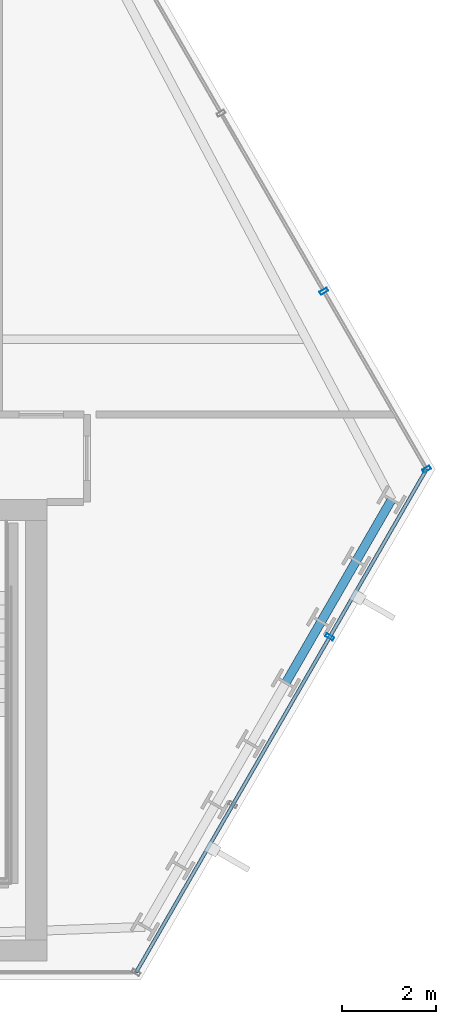
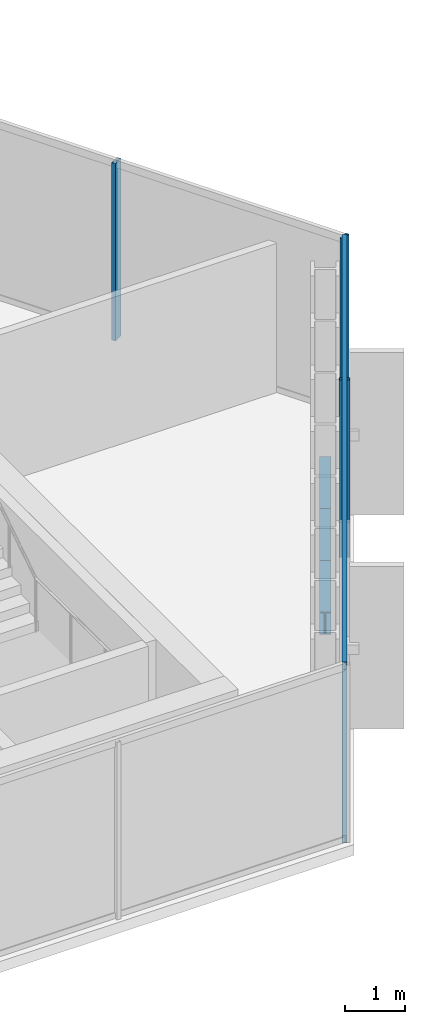
# One storey, part 16 of 32: 5 members, 3 beams, 2 elements without a shape of their own.
"""IFC4 building model written with IfcOpenShell, lengths in metres."""

import ifcopenshell
import ifcopenshell.guid

model = None  # the IFC model being written
_history = None  # IfcOwnerHistory: only IFC2X3 demands one
_inside = {}  # id of a spatial element -> (the spatial element, [elements in it])
_under = {}  # id of a project, library or spatial element -> (it, [spatial elements below it])
_declared = {}  # id of a project -> (the project, [libraries it declares])
_typed = {}  # id of a type object -> (the type object, [elements of that type])
_made_of = {}  # id of a material, layer set ... -> (it, [elements and type objects made of it])


def new_model(schema):
    """Start an empty IFC model of exactly this schema.

    Asked for "IFC4X3", IfcOpenShell would pick the latest addendum, in which some entities
    have other attributes; the version numbers below select the first issue.
    IFC2X3 requires an IfcOwnerHistory on every rooted entity: one is made here for all.
    """
    global model, _history
    if schema == "IFC4X3":
        model = ifcopenshell.file(schema_version=(4, 3, 0, 0))
    else:
        model = ifcopenshell.file(schema=schema)
    _inside.clear()
    _under.clear()
    _declared.clear()
    _typed.clear()
    _made_of.clear()
    _history = None
    if model.schema == "IFC2X3":
        org = make("IfcOrganization", Name="unknown")
        user = make(
            "IfcPersonAndOrganization",
            ThePerson=make("IfcPerson", FamilyName="unknown"),
            TheOrganization=org,
        )
        app = make(
            "IfcApplication",
            ApplicationDeveloper=org,
            Version="unknown",
            ApplicationFullName="unknown",
            ApplicationIdentifier="unknown",
        )
        _history = make(
            "IfcOwnerHistory",
            OwningUser=user,
            OwningApplication=app,
            ChangeAction="ADDED",
            CreationDate=0,
        )
    return model


def make(cls, **values):
    """One entity of the class cls with the attributes given. An attribute that is None is left unset."""
    return model.create_entity(
        cls, **{name: value for name, value in values.items() if value is not None}
    )


def rooted(cls, **values):
    """An entity with a GlobalId (a new one), such as an element, a storey or a relation."""
    return make(cls, GlobalId=ifcopenshell.guid.new(), OwnerHistory=_history, **values)


def si_unit(unit_type, name, prefix=None):
    """IfcSIUnit, for example si_unit("LENGTHUNIT", "METRE", prefix="MILLI")."""
    return make("IfcSIUnit", UnitType=unit_type, Prefix=prefix, Name=name)


def assignment(units):
    """IfcUnitAssignment: the units of a project."""
    return None if units is None else make("IfcUnitAssignment", Units=units)


def point(xyz):
    """IfcCartesianPoint."""
    return None if xyz is None else make("IfcCartesianPoint", Coordinates=xyz)


def direction(xyz):
    """IfcDirection."""
    return None if xyz is None else make("IfcDirection", DirectionRatios=xyz)


def frame(location, z_axis=None, x_axis=None):
    """IfcAxis2Placement3D, a coordinate frame: its origin and axes. An axis left out is left unset."""
    return make(
        "IfcAxis2Placement3D",
        Location=point(location),
        Axis=direction(z_axis),
        RefDirection=direction(x_axis),
    )


def frame_2d(location, x_axis=None):
    """IfcAxis2Placement2D, a coordinate frame in the plane: its origin and x axis."""
    return make(
        "IfcAxis2Placement2D", Location=point(location), RefDirection=direction(x_axis)
    )


def origin():
    """The frame at (0, 0, 0) with its axes left unset."""
    return frame((0.0, 0.0, 0.0))


def origin_2d():
    """The frame at (0, 0) in the plane with its x axis left unset."""
    return frame_2d((0.0, 0.0))


def place(relative_to, where):
    """IfcLocalPlacement: puts the frame where relative to a parent placement (None: the world)."""
    return make(
        "IfcLocalPlacement", PlacementRelTo=relative_to, RelativePlacement=where
    )


def context(
    kind, dimensions, precision=None, world=None, true_north=None, identifier=None
):
    """IfcGeometricRepresentationContext, for example the 3D "Model" context."""
    return make(
        "IfcGeometricRepresentationContext",
        ContextIdentifier=identifier,
        ContextType=kind,
        CoordinateSpaceDimension=dimensions,
        Precision=precision,
        WorldCoordinateSystem=world,
        TrueNorth=true_north,
    )


def subcontext(parent, identifier, kind, view, scale=None):
    """IfcGeometricRepresentationSubContext, for example "Body" below "Model"."""
    return make(
        "IfcGeometricRepresentationSubContext",
        ContextIdentifier=identifier,
        ContextType=kind,
        ParentContext=parent,
        TargetScale=scale,
        TargetView=view,
    )


def project(units=None, contexts=None):
    """IfcProject with its units and contexts."""
    return rooted(
        "IfcProject",
        Name="project",
        RepresentationContexts=contexts,
        UnitsInContext=assignment(units),
    )


def spatial(cls, under=None, at=None, **own):
    """A site, building, storey or space (cls), placed at a placement, below another one or the project."""
    s = rooted(cls, ObjectPlacement=at, **own)
    if under is not None:
        _under.setdefault(under.id(), (under, []))[1].append(s)
    return s


def profile(cls, at=None, kind="AREA", **sizes):
    """A parametric profile (cls). Its sizes go by their IFC names, for example OverallWidth=200.0."""
    return make(cls, ProfileType=kind, Position=at, **sizes)


def hollow_rectangle(**sizes):
    """IfcRectangleHollowProfileDef."""
    return profile("IfcRectangleHollowProfileDef", **sizes)


def i_section(**sizes):
    """IfcIShapeProfileDef."""
    return profile("IfcIShapeProfileDef", **sizes)


def extrude(swept, where, along, depth):
    """IfcExtrudedAreaSolid: the profile swept, set in the frame where, extruded along a direction by depth."""
    return make(
        "IfcExtrudedAreaSolid",
        SweptArea=swept,
        Position=where,
        ExtrudedDirection=direction(along),
        Depth=depth,
    )


def shape(context_of_items, identifier, shape_type, items):
    """IfcShapeRepresentation: the items that make up one representation, for example the "Body"."""
    return make(
        "IfcShapeRepresentation",
        ContextOfItems=context_of_items,
        RepresentationIdentifier=identifier,
        RepresentationType=shape_type,
        Items=items,
    )


def material(Name=None, Category=None):
    """IfcMaterial."""
    return make("IfcMaterial", Name=Name, Category=Category)


def layer(
    of_material, thickness, ventilated=None, Name=None, Category=None, Priority=None
):
    """IfcMaterialLayer: one layer of a wall or slab, of a material (None: an air gap)."""
    return make(
        "IfcMaterialLayer",
        Material=of_material,
        LayerThickness=thickness,
        IsVentilated=ventilated,
        Name=Name,
        Category=Category,
        Priority=Priority,
    )


def layer_set(layers, Name=None):
    """IfcMaterialLayerSet."""
    return make("IfcMaterialLayerSet", MaterialLayers=layers, LayerSetName=Name)


def material_profile(
    of_material, cross_section, Name=None, Category=None, Priority=None
):
    """IfcMaterialProfile: a cross section and its material."""
    return make(
        "IfcMaterialProfile",
        Name=Name,
        Material=of_material,
        Profile=cross_section,
        Priority=Priority,
        Category=Category,
    )


def profile_set(profiles, Name=None, composite=None):
    """IfcMaterialProfileSet."""
    return make(
        "IfcMaterialProfileSet",
        Name=Name,
        MaterialProfiles=profiles,
        CompositeProfile=composite,
    )


def made_of(thing, what):
    """Note that an element or type object is made of a material, layer set ...; save() writes the relation."""
    if what is not None:
        _made_of.setdefault(what.id(), (what, []))[1].append(thing)
    return thing


def type_object(cls, material=None, **own):
    """A type object (cls), such as IfcWallType, which elements share."""
    return made_of(rooted(cls, **own), material)


def element(
    cls,
    number,
    at=None,
    inside=None,
    cuts=None,
    type_object=None,
    material=None,
    context=None,
    identifier="Body",
    shape_type=None,
    held_by="IfcProductDefinitionShape",
    body=None,
    shapes=None,
    **own,
):
    """One element of the class cls, such as IfcWall. Its Tag is "e" and its number.

    at: its placement. inside: the storey or other place that contains it. cuts: it is an
    opening in that element (IfcRelVoidsElement). A single representation is given by context,
    identifier, shape_type and body (its items); several are given by shapes. held_by: the class
    of the entity that holds the representations. save() writes the other relations.
    """
    e = rooted(cls, Tag="e%d" % number, ObjectPlacement=at, **own)
    if body is not None:
        shapes = [shape(context, identifier, shape_type, body)]
    if shapes is not None:
        e.Representation = make(held_by, Representations=shapes)
    if inside is not None:
        _inside.setdefault(inside.id(), (inside, []))[1].append(e)
    if cuts is not None:
        rooted(
            "IfcRelVoidsElement", RelatingBuildingElement=cuts, RelatedOpeningElement=e
        )
    if type_object is not None:
        _typed.setdefault(type_object.id(), (type_object, []))[1].append(e)
    return made_of(e, material)


def aggregate(whole, parts):
    """IfcRelAggregates: a whole, such as a stair, and the parts it consists of."""
    return rooted("IfcRelAggregates", RelatingObject=whole, RelatedObjects=parts)


def save(model, path):
    """Write the relations noted so far, then the file.

    IfcRelAggregates (storeys below a building ...), IfcRelContainedInSpatialStructure (elements
    in a storey), IfcRelDefinesByType, IfcRelAssociatesMaterial and IfcRelDeclares: one each for
    every whole, place, type object, material and project.
    """
    for whole, parts in _under.values():
        aggregate(whole, parts)
    for where, things in _inside.values():
        rooted(
            "IfcRelContainedInSpatialStructure",
            RelatedElements=things,
            RelatingStructure=where,
        )
    for kind, things in _typed.values():
        rooted("IfcRelDefinesByType", RelatedObjects=things, RelatingType=kind)
    for what, things in _made_of.values():
        rooted("IfcRelAssociatesMaterial", RelatedObjects=things, RelatingMaterial=what)
    for by, libraries in _declared.values():
        rooted("IfcRelDeclares", RelatingContext=by, RelatedDefinitions=libraries)
    model.write(path)


model = new_model("IFC4")

# Units and contexts
model_context = context("Model", 3, precision=1e-05, world=origin(), true_north=direction((0.0, 1.0)))
body_context = subcontext(model_context, "Body", "Model", "MODEL_VIEW")
ifc_project = project(units=[si_unit("LENGTHUNIT", "METRE"), si_unit("AREAUNIT", "SQUARE_METRE"), si_unit("VOLUMEUNIT", "CUBIC_METRE"), si_unit("PLANEANGLEUNIT", "RADIAN"), si_unit("MASSUNIT", "GRAM", prefix="KILO")], contexts=[model_context])

# Site, building, storey
site_placement = place(None, origin())
site = spatial("IfcSite", under=ifc_project, at=site_placement, CompositionType="ELEMENT")
building_placement = place(site_placement, origin())
building = spatial("IfcBuilding", under=site, at=building_placement, Name="Ndaravel Arena Tower", CompositionType="ELEMENT")
storey_placement = place(building_placement, frame((0.0, 0.0, 130.800048828125)))
storey = spatial("IfcBuildingStorey", under=building, at=storey_placement, Name="L30", CompositionType="ELEMENT", Elevation=130.800048828125)

# Beams
ifc_material_1 = material(Name="Steel S355", Category="steel")
ifc_material_profile_1 = material_profile(ifc_material_1, i_section(OverallWidth=0.18994140625, OverallDepth=0.449951171875, WebThickness=0.009521484375, FlangeThickness=0.0146484375, FilletRadius=0.02099609375, at=origin_2d()), Name="IPE 450")
ifc_profile_set_1 = profile_set([ifc_material_profile_1], Name="Steel S355")
beam_type = type_object("IfcBeamType", Name="BM-SPAN-IPE450", PredefinedType="SPANDREL", material=ifc_profile_set_1)
beam_1_placement = place(storey_placement, frame((62.624755859375, 11.30810546875, -0.445068359375), z_axis=(0.500019200167, 0.866014318279, 0.0), x_axis=(-0.866014318279, 0.500019200167, 0.0)))
element("IfcBeam", 1, at=beam_1_placement, inside=storey, type_object=beam_type, Name="L30 Perimeter Spandrel Beam SP-06", PredefinedType="SPANDREL", context=body_context, shape_type="SweptSolid", body=[
    extrude(i_section(OverallWidth=0.18994140625, OverallDepth=0.449951171875, WebThickness=0.009521484375, FlangeThickness=0.0146484375, FilletRadius=0.02099609375, at=origin_2d()), origin(), (0.0, 0.0, 1.0), 1.49560546875),
])
beam_2_placement = place(storey_placement, frame((63.37255859375, 12.603271484375, -0.445068359375), z_axis=(0.499896754619, 0.866085004328, 0.0), x_axis=(-0.866085004328, 0.499896754619, 0.0)))
element("IfcBeam", 2, at=beam_2_placement, inside=storey, type_object=beam_type, Name="L30 Perimeter Spandrel Beam SP-07", PredefinedType="SPANDREL", context=body_context, shape_type="SweptSolid", body=[
    extrude(i_section(OverallWidth=0.18994140625, OverallDepth=0.449951171875, WebThickness=0.009521484375, FlangeThickness=0.0146484375, FilletRadius=0.02099609375, at=origin_2d()), origin(), (0.0, 0.0, 1.0), 1.495361328125),
])
beam_3_placement = place(storey_placement, frame((64.1201171875, 13.8984375, -0.445068359375), z_axis=(0.500019200167, 0.866014318279, 0.0), x_axis=(-0.866014318279, 0.500019200167, 0.0)))
element("IfcBeam", 3, at=beam_3_placement, inside=storey, type_object=beam_type, Name="L30 Perimeter Spandrel Beam SP-08", PredefinedType="SPANDREL", context=body_context, shape_type="SweptSolid", body=[
    extrude(i_section(OverallWidth=0.18994140625, OverallDepth=0.449951171875, WebThickness=0.009521484375, FlangeThickness=0.0146484375, FilletRadius=0.02099609375, at=origin_2d()), origin(), (0.0, 0.0, 1.0), 1.49560546875),
])

# Curtain wall, member
ifc_material_2 = material(Name="Aluminium", Category="aluminium")
ifc_layer_1 = layer(ifc_material_2, 0.179931640625)
ifc_layer_set_1 = layer_set([ifc_layer_1], Name="Aluminium")
curtain_wall_type_1 = type_object("IfcCurtainWallType", Name="CW-SYS-01", PredefinedType="NOTDEFINED", material=ifc_layer_set_1)
curtain_wall_1_placement = place(storey_placement, origin())
curtain_wall_1 = element("IfcCurtainWall", 4, at=curtain_wall_1_placement, inside=storey, type_object=curtain_wall_type_1, Name="L30 Faceted Crystal Curtain Wall CW-L30-E02", PredefinedType="NOTDEFINED")
ifc_material_3 = material(Name="Aluminium", Category="aluminium")
ifc_material_profile_2 = material_profile(ifc_material_3, hollow_rectangle(XDim=0.074951171875, YDim=0.179931640625, WallThickness=0.00390625, at=origin_2d()), Name="CW MULLION 75x180x4")
ifc_profile_set_2 = profile_set([ifc_material_profile_2], Name="Aluminium")
member_type_1 = type_object("IfcMemberType", Name="MEM-CW-MUL180", PredefinedType="MULLION", material=ifc_profile_set_2)
member_1_placement = place(storey_placement, frame((63.5556640625, 12.28076171875, 0.0), z_axis=(0.0, 0.0, 1.0), x_axis=(0.5, 0.866025403784, 0.0)))
member_1 = element("IfcMember", 5, at=member_1_placement, type_object=member_type_1, Name="CW-L30-E02 Mullion 02", PredefinedType="MULLION", context=body_context, shape_type="SweptSolid", body=[
    extrude(hollow_rectangle(XDim=0.074951171875, YDim=0.179931640625, WallThickness=0.00390625, at=origin_2d()), origin(), (0.0, 0.0, 1.0), 3.579833984375),
])

# Curtain wall, members
ifc_material_4 = material(Name="Aluminium", Category="aluminium")
ifc_layer_2 = layer(ifc_material_4, 0.179931640625)
ifc_layer_set_2 = layer_set([ifc_layer_2], Name="Aluminium")
curtain_wall_type_2 = type_object("IfcCurtainWallType", Name="CW-SYS-03", PredefinedType="NOTDEFINED", material=ifc_layer_set_2)
curtain_wall_2_placement = place(storey_placement, origin())
curtain_wall_2 = element("IfcCurtainWall", 6, at=curtain_wall_2_placement, inside=storey, type_object=curtain_wall_type_2, Name="L30 Faceted Crystal Curtain Wall CW-L30-E03", PredefinedType="NOTDEFINED")
member_2_placement = place(storey_placement, frame((65.611328125, 15.841064453125, 0.0), z_axis=(0.0, 0.0, 1.0), x_axis=(-0.5, 0.866025403784, 0.0)))
member_2 = element("IfcMember", 7, at=member_2_placement, type_object=member_type_1, Name="CW-L30-E03 Mullion 00", PredefinedType="MULLION", context=body_context, shape_type="SweptSolid", body=[
    extrude(hollow_rectangle(XDim=0.074951171875, YDim=0.179931640625, WallThickness=0.00390625, at=origin_2d()), origin(), (0.0, 0.0, 1.0), 3.579833984375),
])
member_3_placement = place(storey_placement, frame((63.4306640625, 19.617919921875, 0.0), z_axis=(0.0, 0.0, 1.0), x_axis=(-0.5, 0.866025403784, 0.0)))
member_3 = element("IfcMember", 8, at=member_3_placement, type_object=member_type_1, Name="CW-L30-E03 Mullion 01", PredefinedType="MULLION", context=body_context, shape_type="SweptSolid", body=[
    extrude(hollow_rectangle(XDim=0.074951171875, YDim=0.179931640625, WallThickness=0.00390625, at=origin_2d()), origin(), (0.0, 0.0, 1.0), 3.579833984375),
])
aggregate(curtain_wall_2, [member_2, member_3])

# Member
ifc_material_5 = material(Name="Aluminium", Category="aluminium")
ifc_material_profile_3 = material_profile(ifc_material_5, hollow_rectangle(XDim=0.074951171875, YDim=0.14990234375, WallThickness=0.00390625, at=origin_2d()), Name="CW TRANSOM 75x150x4")
ifc_profile_set_3 = profile_set([ifc_material_profile_3], Name="Aluminium")
member_type_2 = type_object("IfcMemberType", Name="MEM-CW-TRN150", PredefinedType="USERDEFINED", material=ifc_profile_set_3)
member_4_placement = place(storey_placement, frame((59.444580078125, 5.159912109375, 0.0400390625), z_axis=(0.499998897271, 0.866026040445, 0.0), x_axis=(-0.866026040445, 0.499998897271, 0.0)))
member_4 = element("IfcMember", 9, at=member_4_placement, type_object=member_type_2, Name="CW-L30-E02 Transom 01", ObjectType="TRANSOM", PredefinedType="USERDEFINED", context=body_context, shape_type="SweptSolid", body=[
    extrude(hollow_rectangle(XDim=0.074951171875, YDim=0.14990234375, WallThickness=0.00390625, at=origin_2d()), origin(), (0.0, 0.0, 1.0), 12.33349609375),
])

member_5_placement = place(storey_placement, frame((59.444580078125, 5.159912109375, 3.5400390625), z_axis=(0.499998897271, 0.866026040445, 0.0), x_axis=(-0.866026040445, 0.499998897271, 0.0)))
member_5 = element("IfcMember", 10, at=member_5_placement, type_object=member_type_2, Name="CW-L30-E02 Transom 02", ObjectType="TRANSOM", PredefinedType="USERDEFINED", context=body_context, shape_type="SweptSolid", body=[
    extrude(hollow_rectangle(XDim=0.074951171875, YDim=0.14990234375, WallThickness=0.00390625, at=origin_2d()), origin(), (0.0, 0.0, 1.0), 12.33349609375),
])

aggregate(curtain_wall_1, [member_1, member_4, member_5])

save(model, "model.ifc")
